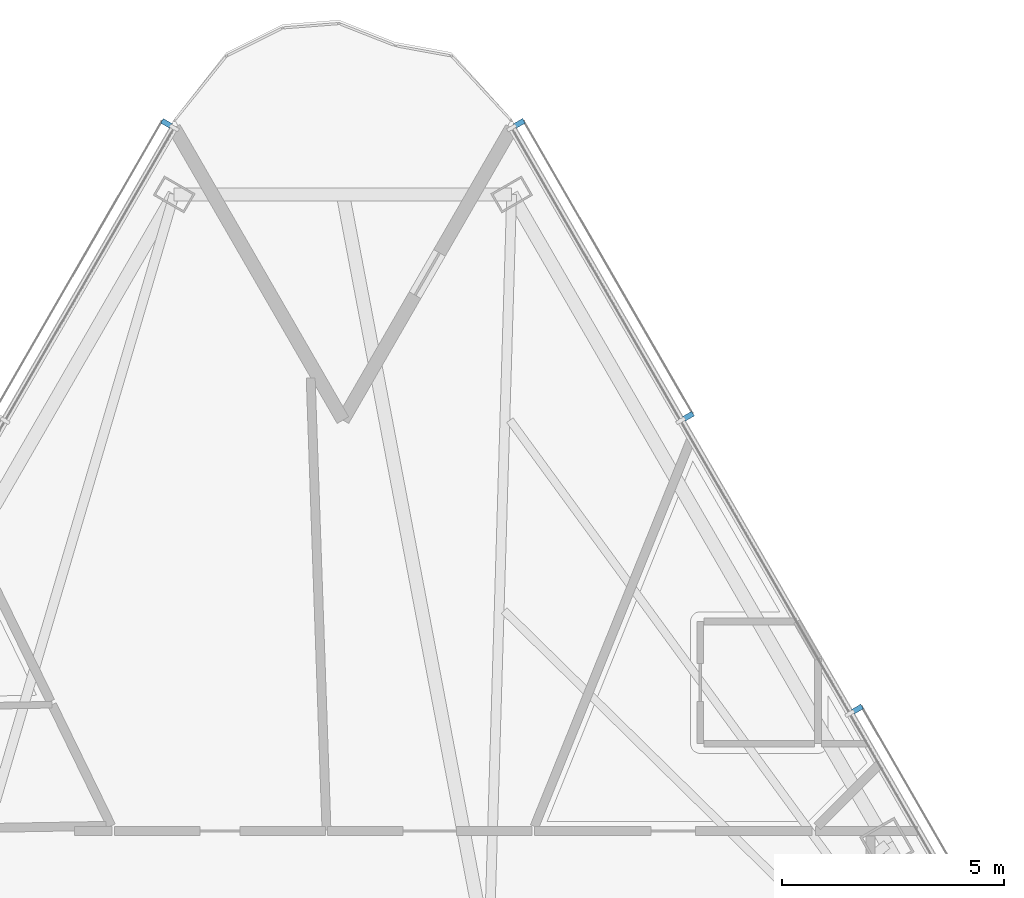
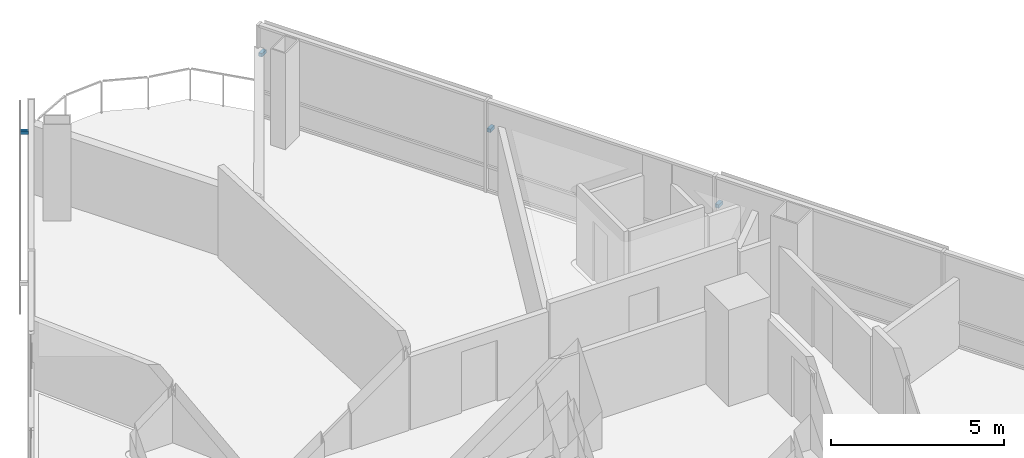
# One storey, part 13 of 16: 4 discrete accessories.
"""IFC4 building model written with IfcOpenShell, lengths in metres."""

import ifcopenshell
import ifcopenshell.guid

model = None  # the IFC model being written
_history = None  # IfcOwnerHistory: only IFC2X3 demands one
_inside = {}  # id of a spatial element -> (the spatial element, [elements in it])
_under = {}  # id of a project, library or spatial element -> (it, [spatial elements below it])
_declared = {}  # id of a project -> (the project, [libraries it declares])
_typed = {}  # id of a type object -> (the type object, [elements of that type])
_made_of = {}  # id of a material, layer set ... -> (it, [elements and type objects made of it])


def new_model(schema):
    """Start an empty IFC model of exactly this schema.

    Asked for "IFC4X3", IfcOpenShell would pick the latest addendum, in which some entities
    have other attributes; the version numbers below select the first issue.
    IFC2X3 requires an IfcOwnerHistory on every rooted entity: one is made here for all.
    """
    global model, _history
    if schema == "IFC4X3":
        model = ifcopenshell.file(schema_version=(4, 3, 0, 0))
    else:
        model = ifcopenshell.file(schema=schema)
    _inside.clear()
    _under.clear()
    _declared.clear()
    _typed.clear()
    _made_of.clear()
    _history = None
    if model.schema == "IFC2X3":
        org = make("IfcOrganization", Name="unknown")
        user = make(
            "IfcPersonAndOrganization",
            ThePerson=make("IfcPerson", FamilyName="unknown"),
            TheOrganization=org,
        )
        app = make(
            "IfcApplication",
            ApplicationDeveloper=org,
            Version="unknown",
            ApplicationFullName="unknown",
            ApplicationIdentifier="unknown",
        )
        _history = make(
            "IfcOwnerHistory",
            OwningUser=user,
            OwningApplication=app,
            ChangeAction="ADDED",
            CreationDate=0,
        )
    return model


def make(cls, **values):
    """One entity of the class cls with the attributes given. An attribute that is None is left unset."""
    return model.create_entity(
        cls, **{name: value for name, value in values.items() if value is not None}
    )


def rooted(cls, **values):
    """An entity with a GlobalId (a new one), such as an element, a storey or a relation."""
    return make(cls, GlobalId=ifcopenshell.guid.new(), OwnerHistory=_history, **values)


def si_unit(unit_type, name, prefix=None):
    """IfcSIUnit, for example si_unit("LENGTHUNIT", "METRE", prefix="MILLI")."""
    return make("IfcSIUnit", UnitType=unit_type, Prefix=prefix, Name=name)


def assignment(units):
    """IfcUnitAssignment: the units of a project."""
    return None if units is None else make("IfcUnitAssignment", Units=units)


def point(xyz):
    """IfcCartesianPoint."""
    return None if xyz is None else make("IfcCartesianPoint", Coordinates=xyz)


def direction(xyz):
    """IfcDirection."""
    return None if xyz is None else make("IfcDirection", DirectionRatios=xyz)


def frame(location, z_axis=None, x_axis=None):
    """IfcAxis2Placement3D, a coordinate frame: its origin and axes. An axis left out is left unset."""
    return make(
        "IfcAxis2Placement3D",
        Location=point(location),
        Axis=direction(z_axis),
        RefDirection=direction(x_axis),
    )


def frame_2d(location, x_axis=None):
    """IfcAxis2Placement2D, a coordinate frame in the plane: its origin and x axis."""
    return make(
        "IfcAxis2Placement2D", Location=point(location), RefDirection=direction(x_axis)
    )


def origin():
    """The frame at (0, 0, 0) with its axes left unset."""
    return frame((0.0, 0.0, 0.0))


def origin_2d():
    """The frame at (0, 0) in the plane with its x axis left unset."""
    return frame_2d((0.0, 0.0))


def place(relative_to, where):
    """IfcLocalPlacement: puts the frame where relative to a parent placement (None: the world)."""
    return make(
        "IfcLocalPlacement", PlacementRelTo=relative_to, RelativePlacement=where
    )


def context(
    kind, dimensions, precision=None, world=None, true_north=None, identifier=None
):
    """IfcGeometricRepresentationContext, for example the 3D "Model" context."""
    return make(
        "IfcGeometricRepresentationContext",
        ContextIdentifier=identifier,
        ContextType=kind,
        CoordinateSpaceDimension=dimensions,
        Precision=precision,
        WorldCoordinateSystem=world,
        TrueNorth=true_north,
    )


def subcontext(parent, identifier, kind, view, scale=None):
    """IfcGeometricRepresentationSubContext, for example "Body" below "Model"."""
    return make(
        "IfcGeometricRepresentationSubContext",
        ContextIdentifier=identifier,
        ContextType=kind,
        ParentContext=parent,
        TargetScale=scale,
        TargetView=view,
    )


def project(units=None, contexts=None):
    """IfcProject with its units and contexts."""
    return rooted(
        "IfcProject",
        Name="project",
        RepresentationContexts=contexts,
        UnitsInContext=assignment(units),
    )


def spatial(cls, under=None, at=None, **own):
    """A site, building, storey or space (cls), placed at a placement, below another one or the project."""
    s = rooted(cls, ObjectPlacement=at, **own)
    if under is not None:
        _under.setdefault(under.id(), (under, []))[1].append(s)
    return s


def profile(cls, at=None, kind="AREA", **sizes):
    """A parametric profile (cls). Its sizes go by their IFC names, for example OverallWidth=200.0."""
    return make(cls, ProfileType=kind, Position=at, **sizes)


def rectangle(**sizes):
    """IfcRectangleProfileDef."""
    return profile("IfcRectangleProfileDef", **sizes)


def extrude(swept, where, along, depth):
    """IfcExtrudedAreaSolid: the profile swept, set in the frame where, extruded along a direction by depth."""
    return make(
        "IfcExtrudedAreaSolid",
        SweptArea=swept,
        Position=where,
        ExtrudedDirection=direction(along),
        Depth=depth,
    )


def shape(context_of_items, identifier, shape_type, items):
    """IfcShapeRepresentation: the items that make up one representation, for example the "Body"."""
    return make(
        "IfcShapeRepresentation",
        ContextOfItems=context_of_items,
        RepresentationIdentifier=identifier,
        RepresentationType=shape_type,
        Items=items,
    )


def material(Name=None, Category=None):
    """IfcMaterial."""
    return make("IfcMaterial", Name=Name, Category=Category)


def made_of(thing, what):
    """Note that an element or type object is made of a material, layer set ...; save() writes the relation."""
    if what is not None:
        _made_of.setdefault(what.id(), (what, []))[1].append(thing)
    return thing


def type_object(cls, material=None, **own):
    """A type object (cls), such as IfcWallType, which elements share."""
    return made_of(rooted(cls, **own), material)


def element(
    cls,
    number,
    at=None,
    inside=None,
    cuts=None,
    type_object=None,
    material=None,
    context=None,
    identifier="Body",
    shape_type=None,
    held_by="IfcProductDefinitionShape",
    body=None,
    shapes=None,
    **own,
):
    """One element of the class cls, such as IfcWall. Its Tag is "e" and its number.

    at: its placement. inside: the storey or other place that contains it. cuts: it is an
    opening in that element (IfcRelVoidsElement). A single representation is given by context,
    identifier, shape_type and body (its items); several are given by shapes. held_by: the class
    of the entity that holds the representations. save() writes the other relations.
    """
    e = rooted(cls, Tag="e%d" % number, ObjectPlacement=at, **own)
    if body is not None:
        shapes = [shape(context, identifier, shape_type, body)]
    if shapes is not None:
        e.Representation = make(held_by, Representations=shapes)
    if inside is not None:
        _inside.setdefault(inside.id(), (inside, []))[1].append(e)
    if cuts is not None:
        rooted(
            "IfcRelVoidsElement", RelatingBuildingElement=cuts, RelatedOpeningElement=e
        )
    if type_object is not None:
        _typed.setdefault(type_object.id(), (type_object, []))[1].append(e)
    return made_of(e, material)


def aggregate(whole, parts):
    """IfcRelAggregates: a whole, such as a stair, and the parts it consists of."""
    return rooted("IfcRelAggregates", RelatingObject=whole, RelatedObjects=parts)


def save(model, path):
    """Write the relations noted so far, then the file.

    IfcRelAggregates (storeys below a building ...), IfcRelContainedInSpatialStructure (elements
    in a storey), IfcRelDefinesByType, IfcRelAssociatesMaterial and IfcRelDeclares: one each for
    every whole, place, type object, material and project.
    """
    for whole, parts in _under.values():
        aggregate(whole, parts)
    for where, things in _inside.values():
        rooted(
            "IfcRelContainedInSpatialStructure",
            RelatedElements=things,
            RelatingStructure=where,
        )
    for kind, things in _typed.values():
        rooted("IfcRelDefinesByType", RelatedObjects=things, RelatingType=kind)
    for what, things in _made_of.values():
        rooted("IfcRelAssociatesMaterial", RelatedObjects=things, RelatingMaterial=what)
    for by, libraries in _declared.values():
        rooted("IfcRelDeclares", RelatingContext=by, RelatedDefinitions=libraries)
    model.write(path)


model = new_model("IFC4")

# Units and contexts
model_context = context("Model", 3, precision=1e-05, world=origin(), true_north=direction((0.0, 1.0)))
body_context = subcontext(model_context, "Body", "Model", "MODEL_VIEW")
ifc_project = project(units=[si_unit("LENGTHUNIT", "METRE"), si_unit("AREAUNIT", "SQUARE_METRE"), si_unit("VOLUMEUNIT", "CUBIC_METRE"), si_unit("PLANEANGLEUNIT", "RADIAN"), si_unit("MASSUNIT", "GRAM", prefix="KILO")], contexts=[model_context])

# Site, building, storey
site_placement = place(None, origin())
site = spatial("IfcSite", under=ifc_project, at=site_placement, CompositionType="ELEMENT")
building_placement = place(site_placement, origin())
building = spatial("IfcBuilding", under=site, at=building_placement, Name="Tharavind Bronze Gate", CompositionType="ELEMENT")
storey_placement = place(building_placement, frame((0.0, 0.0, 42.050048828125)))
storey = spatial("IfcBuildingStorey", under=building, at=storey_placement, Name="L09", CompositionType="ELEMENT", Elevation=42.050048828125)

# Discrete accessories
ifc_material = material(Name="Stainless Steel 316", Category="steel")
discrete_accessory_type = type_object("IfcDiscreteAccessoryType", Name="SOLAR SCREEN STANDOFF BRACKET", PredefinedType="BRACKET", material=ifc_material)
for number, where, z_axis, x_axis, name in (
    (1, (-3.97314453125, 26.518310546875, 2.00244140625), (0.0, 0.0, 1.0), (-0.500001511499, -0.866024531118, 0.0), "CW-L09-S1 solar screen bracket 1.1"),
    (2, (11.589111328125, 13.326904296875, 2.00244140625), (0.0, 0.0, 1.0), (-0.500001511499, 0.866024531118, 0.0), "CW-L09-S3 solar screen bracket 5.2"),
    (3, (7.78125, 19.922607421875, 2.00244140625), (0.0, 0.0, 1.0), (-0.500001511499, 0.866024531118, 0.0), "CW-L09-S3 solar screen bracket 7.1"),
    (4, (3.97314453125, 26.518310546875, 2.00244140625), (0.0, 0.0, 1.0), (-0.500001511499, 0.866024531118, 0.0), "CW-L09-S3 solar screen bracket 7.2"),
):
    element("IfcDiscreteAccessory", number, at=place(storey_placement, frame(where, z_axis=z_axis, x_axis=x_axis)), inside=storey, type_object=discrete_accessory_type, Name=name, PredefinedType="BRACKET", context=body_context, shape_type="SweptSolid", body=[
        extrude(rectangle(XDim=0.1201171875, YDim=0.239990234375, at=origin_2d()), origin(), (0.0, 0.0, 1.0), 0.1201171875),
    ])

save(model, "model.ifc")
